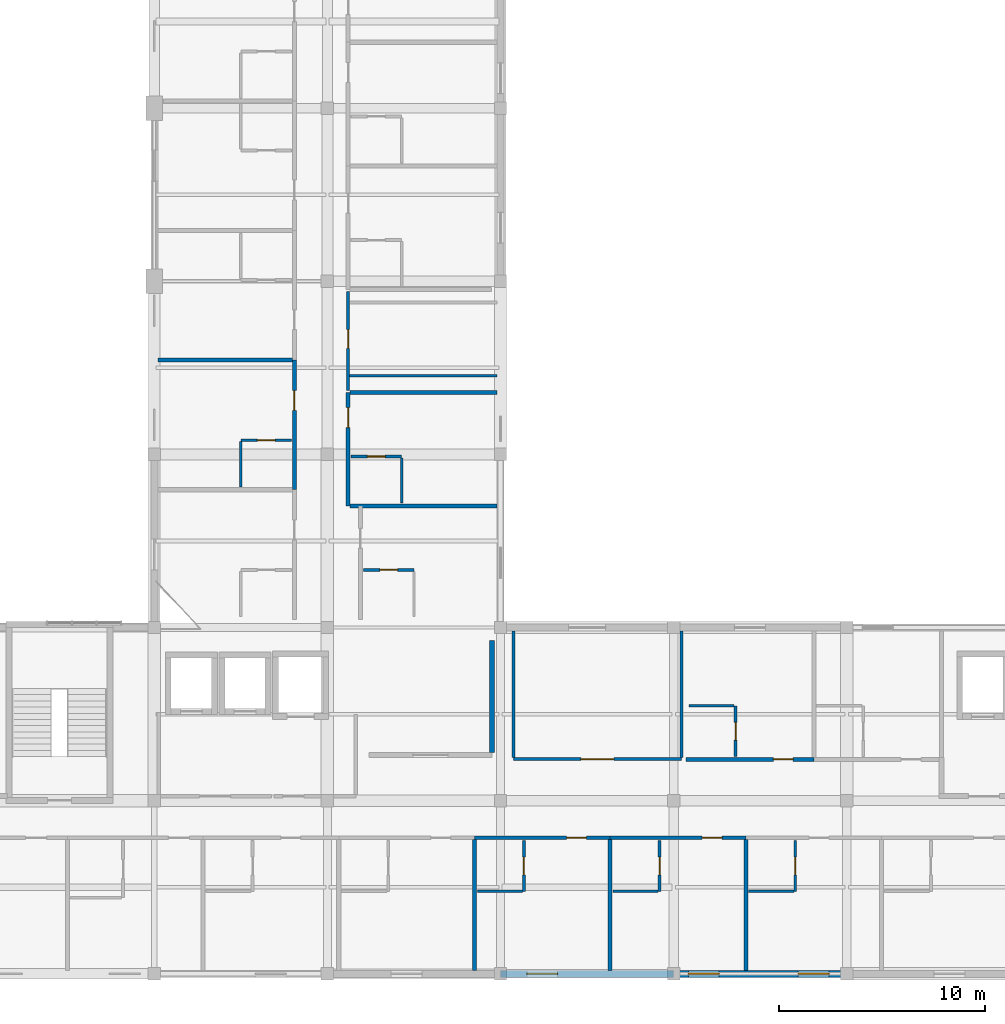
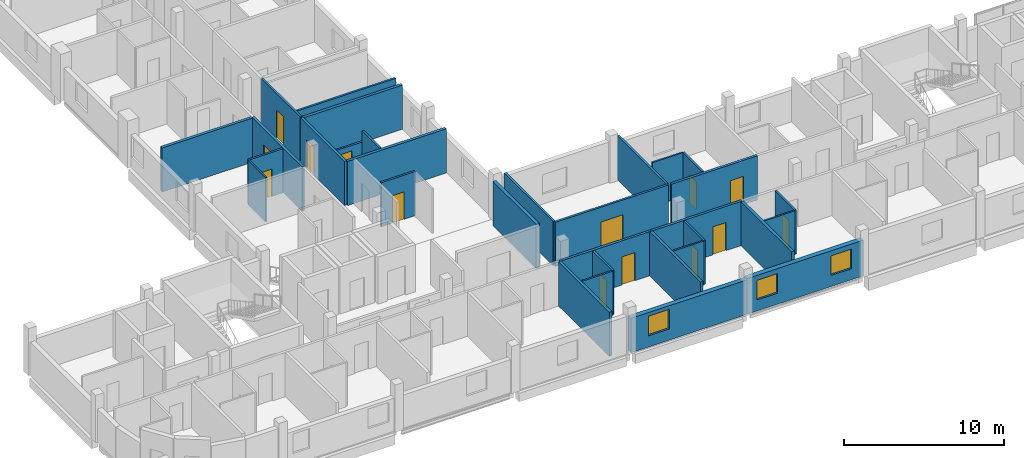
# One storey, part 13 of 24: 32 walls, 14 doors, 3 windows, 17 openings.
"""IFC4 building model written with IfcOpenShell, lengths in metres."""

from ifc_helpers import new_model, si_unit, derived_unit, direction, frame, frame_2d, origin, place, context, subcontext, project, spatial, rectangle, extrude, material, layer, layer_set, type_object, element, fill, save


model = new_model("IFC4")

# Units and contexts
model_context = context("Model", 3, precision=1e-05, world=origin(), true_north=direction((0.0, 1.0)))
body_context = subcontext(model_context, "Body", "Model", "MODEL_VIEW")
ifc_project = project(units=[si_unit("LENGTHUNIT", "METRE"), si_unit("AREAUNIT", "SQUARE_METRE"), si_unit("VOLUMEUNIT", "CUBIC_METRE"), si_unit("PLANEANGLEUNIT", "RADIAN"), si_unit("MASSUNIT", "GRAM", prefix="KILO"), derived_unit("THERMALTRANSMITTANCEUNIT", [(si_unit("POWERUNIT", "WATT"), 1), (si_unit("LENGTHUNIT", "METRE"), -2), (si_unit("THERMODYNAMICTEMPERATUREUNIT", "KELVIN"), -1)])], contexts=[model_context])

# Site, building, storey
site_placement = place(None, origin())
site = spatial("IfcSite", under=ifc_project, at=site_placement, CompositionType="ELEMENT")
building_placement = place(site_placement, origin())
building = spatial("IfcBuilding", under=site, at=building_placement, Name="Barrovel Congress Hotel", CompositionType="ELEMENT")
storey_placement = place(building_placement, frame((0.0, 0.0, 29.10009765625)))
storey = spatial("IfcBuildingStorey", under=building, at=storey_placement, Name="L07", CompositionType="ELEMENT", Elevation=29.10009765625)

# Wall, opening, window
ifc_material_1 = material(Name="Fired Clay Brick Masonry", Category="masonry")
ifc_layer_1 = layer(ifc_material_1, 0.340087890625)
ifc_layer_set_1 = layer_set([ifc_layer_1], Name="Fired Clay Brick Masonry")
wall_type_1 = type_object("IfcWallType", Name="EW-BRK340", PredefinedType="STANDARD", material=ifc_layer_set_1)
wall_1_placement = place(storey_placement, frame((50.39990234375, 4.199951171875, 0.0), z_axis=(0.0, 0.0, 1.0), x_axis=(1.0, 0.0, 0.0)))
wall_1 = element("IfcWall", 1, at=wall_1_placement, inside=storey, type_object=wall_type_1, Name="EW:L07:HS-S:P04", PredefinedType="STANDARD", context=body_context, shape_type="SweptSolid", body=[
    extrude(rectangle(XDim=8.400146484375, YDim=0.340087890625, at=frame_2d((4.2001953125, 0.0))), origin(), (0.0, 0.0, 1.0), 2.6298828125),
])
opening_1_placement = place(wall_1_placement, frame((1.27490234375, 0.0, 0.85009765625)))
opening_1 = element("IfcOpeningElement", 2, at=opening_1_placement, cuts=wall_1, Name="Opening WN-07", PredefinedType="OPENING", context=body_context, shape_type="SweptSolid", body=[
    extrude(rectangle(XDim=1.5, YDim=1.5, at=frame_2d((0.75, 0.75))), frame((0.0, 0.18017578125, 0.0), z_axis=(0.0, -1.0, 0.0), x_axis=(1.0, 0.0, 0.0)), (0.0, 0.0, 1.0), 0.360107421875),
])
ifc_material_2 = material(Name="Double Low-E Insulated Glazing", Category="glass")
window_type = type_object("IfcWindowType", Name="WIN-WN-07", PartitioningType="SINGLE_PANEL", PredefinedType="WINDOW", material=ifc_material_2)
window_1_placement = place(opening_1_placement, origin())
window_1 = element("IfcWindow", 3, at=window_1_placement, inside=storey, type_object=window_type, Name="WIN:L07:U06", OverallHeight=1.5, OverallWidth=1.5, PartitioningType="SINGLE_PANEL", PredefinedType="WINDOW", context=body_context, shape_type="SweptSolid", body=[
    extrude(rectangle(XDim=1.5, YDim=1.5, at=frame_2d((0.75, 0.75))), frame((0.0, 0.030029296875, 0.0), z_axis=(0.0, -1.0, 0.0), x_axis=(1.0, 0.0, 0.0)), (0.0, 0.0, 1.0), 0.06005859375),
])
fill(opening_1, window_1)

# Wall, openings, windows
wall_2_placement = place(storey_placement, frame((58.800048828125, 4.199951171875, 0.0), z_axis=(0.0, 0.0, 1.0), x_axis=(1.0, 0.0, 0.0)))
wall_2 = element("IfcWall", 4, at=wall_2_placement, inside=storey, type_object=wall_type_1, Name="EW:L07:HS-S:P05", PredefinedType="STANDARD", context=body_context, shape_type="SweptSolid", body=[
    extrude(rectangle(XDim=8.39990234375, YDim=0.340087890625, at=frame_2d((4.199951171875, 0.0))), origin(), (0.0, 0.0, 1.0), 2.72998046875),
])
opening_2_placement = place(wall_2_placement, frame((0.708251953125, 0.0, 0.85009765625)))
opening_2 = element("IfcOpeningElement", 5, at=opening_2_placement, cuts=wall_2, Name="Opening WN-07", PredefinedType="OPENING", context=body_context, shape_type="SweptSolid", body=[
    extrude(rectangle(XDim=1.5, YDim=1.5, at=frame_2d((0.75, 0.75))), frame((0.0, 0.18017578125, 0.0), z_axis=(0.0, -1.0, 0.0), x_axis=(1.0, 0.0, 0.0)), (0.0, 0.0, 1.0), 0.360107421875),
])
opening_3_placement = place(wall_2_placement, frame((6.041748046875, 0.0, 0.85009765625)))
opening_3 = element("IfcOpeningElement", 6, at=opening_3_placement, cuts=wall_2, Name="Opening WN-07", PredefinedType="OPENING", context=body_context, shape_type="SweptSolid", body=[
    extrude(rectangle(XDim=1.5, YDim=1.5, at=frame_2d((0.75, 0.75))), frame((0.0, 0.18017578125, 0.0), z_axis=(0.0, -1.0, 0.0), x_axis=(1.0, 0.0, 0.0)), (0.0, 0.0, 1.0), 0.360107421875),
])
window_2_placement = place(opening_2_placement, origin())
window_2 = element("IfcWindow", 7, at=window_2_placement, inside=storey, type_object=window_type, Name="WIN:L07:U07", OverallHeight=1.5, OverallWidth=1.5, PartitioningType="SINGLE_PANEL", PredefinedType="WINDOW", context=body_context, shape_type="SweptSolid", body=[
    extrude(rectangle(XDim=1.5, YDim=1.5, at=frame_2d((0.75, 0.75))), frame((0.0, 0.030029296875, 0.0), z_axis=(0.0, -1.0, 0.0), x_axis=(1.0, 0.0, 0.0)), (0.0, 0.0, 1.0), 0.06005859375),
])
fill(opening_2, window_2)
window_3_placement = place(opening_3_placement, origin())
window_3 = element("IfcWindow", 8, at=window_3_placement, inside=storey, type_object=window_type, Name="WIN:L07:U08", OverallHeight=1.5, OverallWidth=1.5, PartitioningType="SINGLE_PANEL", PredefinedType="WINDOW", context=body_context, shape_type="SweptSolid", body=[
    extrude(rectangle(XDim=1.5, YDim=1.5, at=frame_2d((0.75, 0.75))), frame((0.0, 0.030029296875, 0.0), z_axis=(0.0, -1.0, 0.0), x_axis=(1.0, 0.0, 0.0)), (0.0, 0.0, 1.0), 0.06005859375),
])
fill(opening_3, window_3)

# Wall, opening, door
ifc_material_3 = material(Name="Gypsum Acoustic Stud", Category="gypsum")
ifc_layer_2 = layer(ifc_material_3, 0.179931640625)
ifc_layer_set_2 = layer_set([ifc_layer_2], Name="Gypsum Acoustic Stud")
wall_type_2 = type_object("IfcWallType", Name="PW-ACU-180", PredefinedType="PARTITIONING", material=ifc_layer_set_2)
wall_3_placement = place(storey_placement, frame((49.13330078125, 10.800048828125, 0.0), z_axis=(0.0, 0.0, 1.0), x_axis=(1.0, 0.0, 0.0)))
wall_3 = element("IfcWall", 9, at=wall_3_placement, inside=storey, type_object=wall_type_2, Name="PW:L07:U06:COR", PredefinedType="PARTITIONING", context=body_context, shape_type="SweptSolid", body=[
    extrude(rectangle(XDim=6.58349609375, YDim=0.179931640625, at=frame_2d((3.291748046875, 0.0))), origin(), (0.0, 0.0, 1.0), 3.375),
])
opening_4_placement = place(wall_3_placement, frame((4.46875, 0.0, 0.0)))
opening_4 = element("IfcOpeningElement", 10, at=opening_4_placement, cuts=wall_3, Name="Opening ID-HTL", PredefinedType="OPENING", context=body_context, shape_type="SweptSolid", body=[
    extrude(rectangle(XDim=0.9599609375, YDim=2.14990234375, at=frame_2d((0.47998046875, 1.074951171875))), frame((0.0, 0.10009765625, 0.0), z_axis=(0.0, -1.0, 0.0), x_axis=(1.0, 0.0, 0.0)), (0.0, 0.0, 1.0), 0.199951171875),
])
ifc_material_4 = material(Name="Solid Oak Acoustic Timber Door", Category="wood")
door_type_1 = type_object("IfcDoorType", Name="IDR-ID-HTL", OperationType="NOTDEFINED", PredefinedType="DOOR", material=ifc_material_4)
door_1_placement = place(opening_4_placement, origin())
door_1 = element("IfcDoor", 11, at=door_1_placement, inside=storey, type_object=door_type_1, Name="DR:L07:U06:ENT", OperationType="SINGLE_SWING_RIGHT", OverallHeight=2.14990234375, OverallWidth=0.9599609375, PredefinedType="DOOR", context=body_context, shape_type="SweptSolid", body=[
    extrude(rectangle(XDim=0.9599609375, YDim=2.14990234375, at=frame_2d((0.47998046875, 1.074951171875))), frame((0.0, 0.02490234375, 0.0), z_axis=(0.0, -1.0, 0.0), x_axis=(1.0, 0.0, 0.0)), (0.0, 0.0, 1.0), 0.050048828125),
])
fill(opening_4, door_1)

wall_4_placement = place(storey_placement, frame((55.716796875, 10.800048828125, 0.0), z_axis=(0.0, 0.0, 1.0), x_axis=(1.0, 0.0, 0.0)))
wall_4 = element("IfcWall", 12, at=wall_4_placement, inside=storey, type_object=wall_type_2, Name="PW:L07:U07:COR", PredefinedType="PARTITIONING", context=body_context, shape_type="SweptSolid", body=[
    extrude(rectangle(XDim=6.583251953125, YDim=0.179931640625, at=frame_2d((3.29150390625, 0.0))), origin(), (0.0, 0.0, 1.0), 3.375),
])
opening_5_placement = place(wall_4_placement, frame((4.468505859375, 0.0, 0.0)))
opening_5 = element("IfcOpeningElement", 13, at=opening_5_placement, cuts=wall_4, Name="Opening ID-HTL", PredefinedType="OPENING", context=body_context, shape_type="SweptSolid", body=[
    extrude(rectangle(XDim=0.9599609375, YDim=2.14990234375, at=frame_2d((0.47998046875, 1.074951171875))), frame((0.0, 0.10009765625, 0.0), z_axis=(0.0, -1.0, 0.0), x_axis=(1.0, 0.0, 0.0)), (0.0, 0.0, 1.0), 0.199951171875),
])
door_2_placement = place(opening_5_placement, origin())
door_2 = element("IfcDoor", 14, at=door_2_placement, inside=storey, type_object=door_type_1, Name="DR:L07:U07:ENT", OperationType="SINGLE_SWING_RIGHT", OverallHeight=2.14990234375, OverallWidth=0.9599609375, PredefinedType="DOOR", context=body_context, shape_type="SweptSolid", body=[
    extrude(rectangle(XDim=0.9599609375, YDim=2.14990234375, at=frame_2d((0.47998046875, 1.074951171875))), frame((0.0, 0.02490234375, 0.0), z_axis=(0.0, -1.0, 0.0), x_axis=(1.0, 0.0, 0.0)), (0.0, 0.0, 1.0), 0.050048828125),
])
fill(opening_5, door_2)

wall_5_placement = place(storey_placement, frame((59.39990234375, 14.60009765625, 0.0), z_axis=(0.0, 0.0, 1.0), x_axis=(1.0, 0.0, 0.0)))
wall_5 = element("IfcWall", 15, at=wall_5_placement, inside=storey, type_object=wall_type_2, Name="PW:L07:U19:COR", PredefinedType="PARTITIONING", context=body_context, shape_type="SweptSolid", body=[
    extrude(rectangle(XDim=6.2001953125, YDim=0.179931640625, at=frame_2d((3.10009765625, 0.0))), origin(), (0.0, 0.0, 1.0), 3.375),
])
opening_6_placement = place(wall_5_placement, frame((4.23095703125, 0.0, 0.0)))
opening_6 = element("IfcOpeningElement", 16, at=opening_6_placement, cuts=wall_5, Name="Opening ID-HTL", PredefinedType="OPENING", context=body_context, shape_type="SweptSolid", body=[
    extrude(rectangle(XDim=0.9599609375, YDim=2.14990234375, at=frame_2d((0.47998046875, 1.074951171875))), frame((0.0, 0.10009765625, 0.0), z_axis=(0.0, -1.0, 0.0), x_axis=(1.0, 0.0, 0.0)), (0.0, 0.0, 1.0), 0.199951171875),
])
door_3_placement = place(opening_6_placement, origin())
door_3 = element("IfcDoor", 17, at=door_3_placement, inside=storey, type_object=door_type_1, Name="DR:L07:U19:ENT", OperationType="SINGLE_SWING_RIGHT", OverallHeight=2.14990234375, OverallWidth=0.9599609375, PredefinedType="DOOR", context=body_context, shape_type="SweptSolid", body=[
    extrude(rectangle(XDim=0.9599609375, YDim=2.14990234375, at=frame_2d((0.47998046875, 1.074951171875))), frame((0.0, 0.02490234375, 0.0), z_axis=(0.0, -1.0, 0.0), x_axis=(1.0, 0.0, 0.0)), (0.0, 0.0, 1.0), 0.050048828125),
])
fill(opening_6, door_3)

wall_6_placement = place(storey_placement, frame((40.39990234375, 27.68896484375, 0.0), z_axis=(0.0, 0.0, 1.0), x_axis=(0.0, 1.0, 0.0)))
wall_6 = element("IfcWall", 18, at=wall_6_placement, inside=storey, type_object=wall_type_2, Name="PW:L07:U29:COR", PredefinedType="PARTITIONING", context=body_context, shape_type="SweptSolid", body=[
    extrude(rectangle(XDim=6.288818359375, YDim=0.179931640625, at=frame_2d((3.14453125, 0.0))), origin(), (0.0, 0.0, 1.0), 3.375),
])
opening_7_placement = place(wall_6_placement, frame((3.849365234375, 0.0, 0.0)))
opening_7 = element("IfcOpeningElement", 19, at=opening_7_placement, cuts=wall_6, Name="Opening ID-HTL", PredefinedType="OPENING", context=body_context, shape_type="SweptSolid", body=[
    extrude(rectangle(XDim=0.9599609375, YDim=2.14990234375, at=frame_2d((0.47998046875, 1.074951171875))), frame((0.0, 0.10009765625, 0.0), z_axis=(0.0, -1.0, 0.0), x_axis=(1.0, 0.0, 0.0)), (0.0, 0.0, 1.0), 0.199951171875),
])
door_4_placement = place(opening_7_placement, origin())
door_4 = element("IfcDoor", 20, at=door_4_placement, inside=storey, type_object=door_type_1, Name="DR:L07:U29:ENT", OperationType="SINGLE_SWING_RIGHT", OverallHeight=2.14990234375, OverallWidth=0.9599609375, PredefinedType="DOOR", context=body_context, shape_type="SweptSolid", body=[
    extrude(rectangle(XDim=0.9599609375, YDim=2.14990234375, at=frame_2d((0.47998046875, 1.074951171875))), frame((0.0, 0.02490234375, 0.0), z_axis=(0.0, -1.0, 0.0), x_axis=(1.0, 0.0, 0.0)), (0.0, 0.0, 1.0), 0.050048828125),
])
fill(opening_7, door_4)

wall_7_placement = place(storey_placement, frame((43.0, 26.89990234375, 0.0), z_axis=(0.0, 0.0, 1.0), x_axis=(0.0, 1.0, 0.0)))
wall_7 = element("IfcWall", 21, at=wall_7_placement, inside=storey, type_object=wall_type_2, Name="PW:L07:U38:COR", PredefinedType="PARTITIONING", context=body_context, shape_type="SweptSolid", body=[
    extrude(rectangle(XDim=5.5, YDim=0.179931640625, at=frame_2d((2.75, 0.0))), origin(), (0.0, 0.0, 1.0), 3.375),
])
opening_8_placement = place(wall_7_placement, frame((3.804931640625, 0.0, 0.0)))
opening_8 = element("IfcOpeningElement", 22, at=opening_8_placement, cuts=wall_7, Name="Opening ID-HTL", PredefinedType="OPENING", context=body_context, shape_type="SweptSolid", body=[
    extrude(rectangle(XDim=0.9599609375, YDim=2.14990234375, at=frame_2d((0.47998046875, 1.074951171875))), frame((0.0, 0.10009765625, 0.0), z_axis=(0.0, -1.0, 0.0), x_axis=(1.0, 0.0, 0.0)), (0.0, 0.0, 1.0), 0.199951171875),
])
door_5_placement = place(opening_8_placement, origin())
door_5 = element("IfcDoor", 23, at=door_5_placement, inside=storey, type_object=door_type_1, Name="DR:L07:U38:ENT", OperationType="SINGLE_SWING_RIGHT", OverallHeight=2.14990234375, OverallWidth=0.9599609375, PredefinedType="DOOR", context=body_context, shape_type="SweptSolid", body=[
    extrude(rectangle(XDim=0.9599609375, YDim=2.14990234375, at=frame_2d((0.47998046875, 1.074951171875))), frame((0.0, 0.02490234375, 0.0), z_axis=(0.0, -1.0, 0.0), x_axis=(1.0, 0.0, 0.0)), (0.0, 0.0, 1.0), 0.050048828125),
])
fill(opening_8, door_5)

# Walls
ifc_layer_3 = layer(ifc_material_3, 0.1201171875)
ifc_layer_set_3 = layer_set([ifc_layer_3], Name="Gypsum Acoustic Stud")
wall_type_3 = type_object("IfcWallType", Name="PW-INT-120", PredefinedType="PARTITIONING", material=ifc_layer_set_3)
wall_8_placement = place(storey_placement, frame((49.273193359375, 8.199951171875, 0.0), z_axis=(0.0, 0.0, 1.0), x_axis=(1.0, 0.0, 0.0)))
element("IfcWall", 24, at=wall_8_placement, inside=storey, type_object=wall_type_3, Name="PW:L07:U06:B2", PredefinedType="PARTITIONING", context=body_context, shape_type="SweptSolid", body=[
    extrude(rectangle(XDim=2.190185546875, YDim=0.1201171875, at=frame_2d((1.09521484375, 0.0))), origin(), (0.0, 0.0, 1.0), 3.375),
])
for number, where, z_axis, x_axis, name in (
    (25, (55.856689453125, 8.199951171875, 0.0), (0.0, 0.0, 1.0), (1.0, 0.0, 0.0), "PW:L07:U07:B2"),
    (26, (62.43994140625, 8.199951171875, 0.0), (0.0, 0.0, 1.0), (1.0, 0.0, 0.0), "PW:L07:U08:B2"),
    (27, (59.5400390625, 17.199951171875, 0.0), (0.0, 0.0, 1.0), (1.0, 0.0, 0.0), "PW:L07:U19:B2"),
    (28, (37.800048828125, 27.828857421875, 0.0), (0.0, 0.0, 1.0), (0.0, 1.0, 0.0), "PW:L07:U29:B2"),
    (29, (45.60009765625, 27.0400390625, 0.0), (0.0, 0.0, 1.0), (0.0, 1.0, 0.0), "PW:L07:U38:B2"),
):
    element("IfcWall", number, at=place(storey_placement, frame(where, z_axis=z_axis, x_axis=x_axis)), inside=storey, type_object=wall_type_3, Name=name, PredefinedType="PARTITIONING", context=body_context, shape_type="SweptSolid", body=[
        extrude(rectangle(XDim=2.18994140625, YDim=0.1201171875, at=frame_2d((1.094970703125, 0.0))), origin(), (0.0, 0.0, 1.0), 3.375),
    ])
ifc_layer_4 = layer(ifc_material_1, 0.199951171875)
ifc_layer_set_4 = layer_set([ifc_layer_4], Name="Fired Clay Brick Masonry")
wall_type_4 = type_object("IfcWallType", Name="PW-MAS-200", PredefinedType="PARTITIONING", material=ifc_layer_set_4)
for number, where, z_axis, x_axis, name in (
    (30, (49.13330078125, 4.3701171875, 0.0), (0.0, 0.0, 1.0), (0.0, 1.0, 0.0), "PW:L07:U05:DEM"),
    (31, (55.716796875, 4.3701171875, 0.0), (0.0, 0.0, 1.0), (0.0, 1.0, 0.0), "PW:L07:U06:DEM"),
    (32, (62.300048828125, 4.3701171875, 0.0), (0.0, 0.0, 1.0), (0.0, 1.0, 0.0), "PW:L07:U07:DEM"),
):
    element("IfcWall", number, at=place(storey_placement, frame(where, z_axis=z_axis, x_axis=x_axis)), inside=storey, type_object=wall_type_4, Name=name, PredefinedType="PARTITIONING", context=body_context, shape_type="SweptSolid", body=[
        extrude(rectangle(XDim=6.33984375, YDim=0.199951171875, at=frame_2d((3.169921875, 0.0))), origin(), (0.0, 0.0, 1.0), 3.375),
    ])
wall_9_placement = place(storey_placement, frame((33.77001953125, 33.977783203125, 0.0), z_axis=(0.0, 0.0, 1.0), x_axis=(1.0, 0.0, 0.0)))
element("IfcWall", 33, at=wall_9_placement, inside=storey, type_object=wall_type_4, Name="PW:L07:U29:DEM", PredefinedType="PARTITIONING", context=body_context, shape_type="SweptSolid", body=[
    extrude(rectangle(XDim=6.5400390625, YDim=0.199951171875, at=frame_2d((3.27001953125, 0.0))), origin(), (0.0, 0.0, 1.0), 3.375),
])
for number, where, z_axis, x_axis, name in (
    (34, (43.090087890625, 26.89990234375, 0.0), (0.0, 0.0, 1.0), (1.0, 0.0, 0.0), "PW:L07:U37:DEM"),
    (35, (43.090087890625, 32.39990234375, 0.0), (0.0, 0.0, 1.0), (1.0, 0.0, 0.0), "PW:L07:U38:DEM"),
):
    element("IfcWall", number, at=place(storey_placement, frame(where, z_axis=z_axis, x_axis=x_axis)), inside=storey, type_object=wall_type_4, Name=name, PredefinedType="PARTITIONING", context=body_context, shape_type="SweptSolid", body=[
        extrude(rectangle(XDim=7.139892578125, YDim=0.199951171875, at=frame_2d((3.56982421875, 0.0))), origin(), (0.0, 0.0, 1.0), 3.375),
    ])
ifc_layer_5 = layer(ifc_material_1, 0.239990234375)
ifc_layer_set_5 = layer_set([ifc_layer_5], Name="Fired Clay Brick Masonry")
wall_type_5 = type_object("IfcWallType", Name="PW-MAS-240", PredefinedType="PARTITIONING", material=ifc_layer_set_5)
wall_10_placement = place(storey_placement, frame((49.97998046875, 14.93994140625, 0.0), z_axis=(0.0, 0.0, 1.0), x_axis=(0.0, 1.0, 0.0)))
element("IfcWall", 36, at=wall_10_placement, inside=storey, type_object=wall_type_5, Name="RW:SP:L07:LINEN:E", PredefinedType="PARTITIONING", context=body_context, shape_type="SweptSolid", body=[
    extrude(rectangle(XDim=5.43994140625, YDim=0.239990234375, at=frame_2d((2.719970703125, 0.0))), origin(), (0.0, 0.0, 1.0), 3.375),
])

# Wall, opening, door
ifc_layer_6 = layer(ifc_material_3, 0.14990234375)
ifc_layer_set_6 = layer_set([ifc_layer_6], Name="Gypsum Acoustic Stud")
wall_type_6 = type_object("IfcWallType", Name="PW-STD-150", PredefinedType="PARTITIONING", material=ifc_layer_set_6)
wall_11_placement = place(storey_placement, frame((51.02001953125, 14.6201171875, 0.0), z_axis=(0.0, 0.0, 1.0), x_axis=(1.0, 0.0, 0.0)))
wall_11 = element("IfcWall", 37, at=wall_11_placement, inside=storey, type_object=wall_type_6, Name="RW:SP:L07:SALON:S", PredefinedType="PARTITIONING", context=body_context, shape_type="SweptSolid", body=[
    extrude(rectangle(XDim=8.159912109375, YDim=0.14990234375, at=frame_2d((4.080078125, 0.0))), origin(), (0.0, 0.0, 1.0), 3.375),
])
opening_9_placement = place(wall_11_placement, frame((3.280029296875, 0.0, 0.0)))
opening_9 = element("IfcOpeningElement", 38, at=opening_9_placement, cuts=wall_11, Name="Opening ID-MTG", PredefinedType="OPENING", context=body_context, shape_type="SweptSolid", body=[
    extrude(rectangle(XDim=1.60009765625, YDim=2.25, at=frame_2d((0.800048828125, 1.125))), frame((0.0, 0.0849609375, 0.0), z_axis=(0.0, -1.0, 0.0), x_axis=(1.0, 0.0, 0.0)), (0.0, 0.0, 1.0), 0.169921875),
])
door_type_2 = type_object("IfcDoorType", Name="IDR-ID-MTG", OperationType="NOTDEFINED", PredefinedType="DOOR", material=ifc_material_4)
door_6_placement = place(opening_9_placement, origin())
door_6 = element("IfcDoor", 39, at=door_6_placement, inside=storey, type_object=door_type_2, Name="RD:SP:L07:SALON", OperationType="DOUBLE_DOOR_SINGLE_SWING", OverallHeight=2.25, OverallWidth=1.60009765625, PredefinedType="DOOR", context=body_context, shape_type="SweptSolid", body=[
    extrude(rectangle(XDim=1.60009765625, YDim=2.25, at=frame_2d((0.800048828125, 1.125))), frame((0.0, 0.02490234375, 0.0), z_axis=(0.0, -1.0, 0.0), x_axis=(1.0, 0.0, 0.0)), (0.0, 0.0, 1.0), 0.050048828125),
])
fill(opening_9, door_6)

# Walls
for number, where, z_axis, x_axis, name in (
    (40, (51.02001953125, 14.695068359375, 0.0), (0.0, 0.0, 1.0), (0.0, 1.0, 0.0), "RW:SP:L07:SALON:W"),
    (41, (59.179931640625, 14.695068359375, 0.0), (0.0, 0.0, 1.0), (0.0, 1.0, 0.0), "RW:SP:L07:SALON:E"),
):
    element("IfcWall", number, at=place(storey_placement, frame(where, z_axis=z_axis, x_axis=x_axis)), inside=storey, type_object=wall_type_6, Name=name, PredefinedType="PARTITIONING", context=body_context, shape_type="SweptSolid", body=[
        extrude(rectangle(XDim=6.135009765625, YDim=0.14990234375, at=frame_2d((3.0673828125, 0.0))), origin(), (0.0, 0.0, 1.0), 3.375),
    ])

# Wall, opening, door
ifc_material_5 = material(Name="Gypsum Moisture Board", Category="gypsum")
ifc_layer_7 = layer(ifc_material_5, 0.139892578125)
ifc_layer_set_7 = layer_set([ifc_layer_7], Name="Gypsum Moisture Board")
wall_type_7 = type_object("IfcWallType", Name="PW-WET-140", PredefinedType="PARTITIONING", material=ifc_layer_set_7)
wall_12_placement = place(storey_placement, frame((51.533203125, 8.199951171875, 0.0), z_axis=(0.0, 0.0, 1.0), x_axis=(0.0, 1.0, 0.0)))
wall_12 = element("IfcWall", 42, at=wall_12_placement, inside=storey, type_object=wall_type_7, Name="PW:L07:U06:B1", PredefinedType="PARTITIONING", context=body_context, shape_type="SweptSolid", body=[
    extrude(rectangle(XDim=2.4599609375, YDim=0.139892578125, at=frame_2d((1.22998046875, 0.0))), origin(), (0.0, 0.0, 1.0), 3.375),
])
opening_10_placement = place(wall_12_placement, frame((0.800048828125, 0.0, 0.0)))
opening_10 = element("IfcOpeningElement", 43, at=opening_10_placement, cuts=wall_12, Name="Opening ID-ENS", PredefinedType="OPENING", context=body_context, shape_type="SweptSolid", body=[
    extrude(rectangle(XDim=0.860107421875, YDim=2.10009765625, at=frame_2d((0.43017578125, 1.050048828125))), frame((0.0, 0.080078125, 0.0), z_axis=(0.0, -1.0, 0.0), x_axis=(1.0, 0.0, 0.0)), (0.0, 0.0, 1.0), 0.159912109375),
])
ifc_material_6 = material(Name="Lacquered Timber Moisture Door", Category="wood")
door_type_3 = type_object("IfcDoorType", Name="IDR-ID-ENS", OperationType="NOTDEFINED", PredefinedType="DOOR", material=ifc_material_6)
door_7_placement = place(opening_10_placement, origin())
door_7 = element("IfcDoor", 44, at=door_7_placement, inside=storey, type_object=door_type_3, Name="DR:L07:U06:ENS", OperationType="SINGLE_SWING_LEFT", OverallHeight=2.10009765625, OverallWidth=0.860107421875, PredefinedType="DOOR", context=body_context, shape_type="SweptSolid", body=[
    extrude(rectangle(XDim=0.860107421875, YDim=2.10009765625, at=frame_2d((0.43017578125, 1.050048828125))), frame((0.0, 0.02490234375, 0.0), z_axis=(0.0, -1.0, 0.0), x_axis=(1.0, 0.0, 0.0)), (0.0, 0.0, 1.0), 0.050048828125),
])
fill(opening_10, door_7)

wall_13_placement = place(storey_placement, frame((58.11669921875, 8.199951171875, 0.0), z_axis=(0.0, 0.0, 1.0), x_axis=(0.0, 1.0, 0.0)))
wall_13 = element("IfcWall", 45, at=wall_13_placement, inside=storey, type_object=wall_type_7, Name="PW:L07:U07:B1", PredefinedType="PARTITIONING", context=body_context, shape_type="SweptSolid", body=[
    extrude(rectangle(XDim=2.4599609375, YDim=0.139892578125, at=frame_2d((1.22998046875, 0.0))), origin(), (0.0, 0.0, 1.0), 3.375),
])
opening_11_placement = place(wall_13_placement, frame((0.800048828125, 0.0, 0.0)))
opening_11 = element("IfcOpeningElement", 46, at=opening_11_placement, cuts=wall_13, Name="Opening ID-ENS", PredefinedType="OPENING", context=body_context, shape_type="SweptSolid", body=[
    extrude(rectangle(XDim=0.860107421875, YDim=2.10009765625, at=frame_2d((0.43017578125, 1.050048828125))), frame((0.0, 0.080078125, 0.0), z_axis=(0.0, -1.0, 0.0), x_axis=(1.0, 0.0, 0.0)), (0.0, 0.0, 1.0), 0.159912109375),
])
door_8_placement = place(opening_11_placement, origin())
door_8 = element("IfcDoor", 47, at=door_8_placement, inside=storey, type_object=door_type_3, Name="DR:L07:U07:ENS", OperationType="SINGLE_SWING_LEFT", OverallHeight=2.10009765625, OverallWidth=0.860107421875, PredefinedType="DOOR", context=body_context, shape_type="SweptSolid", body=[
    extrude(rectangle(XDim=0.860107421875, YDim=2.10009765625, at=frame_2d((0.43017578125, 1.050048828125))), frame((0.0, 0.02490234375, 0.0), z_axis=(0.0, -1.0, 0.0), x_axis=(1.0, 0.0, 0.0)), (0.0, 0.0, 1.0), 0.050048828125),
])
fill(opening_11, door_8)

wall_14_placement = place(storey_placement, frame((64.699951171875, 8.199951171875, 0.0), z_axis=(0.0, 0.0, 1.0), x_axis=(0.0, 1.0, 0.0)))
wall_14 = element("IfcWall", 48, at=wall_14_placement, inside=storey, type_object=wall_type_7, Name="PW:L07:U08:B1", PredefinedType="PARTITIONING", context=body_context, shape_type="SweptSolid", body=[
    extrude(rectangle(XDim=2.4599609375, YDim=0.139892578125, at=frame_2d((1.22998046875, 0.0))), origin(), (0.0, 0.0, 1.0), 3.375),
])
opening_12_placement = place(wall_14_placement, frame((0.800048828125, 0.0, 0.0)))
opening_12 = element("IfcOpeningElement", 49, at=opening_12_placement, cuts=wall_14, Name="Opening ID-ENS", PredefinedType="OPENING", context=body_context, shape_type="SweptSolid", body=[
    extrude(rectangle(XDim=0.860107421875, YDim=2.10009765625, at=frame_2d((0.43017578125, 1.050048828125))), frame((0.0, 0.080078125, 0.0), z_axis=(0.0, -1.0, 0.0), x_axis=(1.0, 0.0, 0.0)), (0.0, 0.0, 1.0), 0.159912109375),
])
door_9_placement = place(opening_12_placement, origin())
door_9 = element("IfcDoor", 50, at=door_9_placement, inside=storey, type_object=door_type_3, Name="DR:L07:U08:ENS", OperationType="SINGLE_SWING_LEFT", OverallHeight=2.10009765625, OverallWidth=0.860107421875, PredefinedType="DOOR", context=body_context, shape_type="SweptSolid", body=[
    extrude(rectangle(XDim=0.860107421875, YDim=2.10009765625, at=frame_2d((0.43017578125, 1.050048828125))), frame((0.0, 0.02490234375, 0.0), z_axis=(0.0, -1.0, 0.0), x_axis=(1.0, 0.0, 0.0)), (0.0, 0.0, 1.0), 0.050048828125),
])
fill(opening_12, door_9)

wall_15_placement = place(storey_placement, frame((61.800048828125, 14.739990234375, 0.0), z_axis=(0.0, 0.0, 1.0), x_axis=(0.0, 1.0, 0.0)))
wall_15 = element("IfcWall", 51, at=wall_15_placement, inside=storey, type_object=wall_type_7, Name="PW:L07:U19:B1", PredefinedType="PARTITIONING", context=body_context, shape_type="SweptSolid", body=[
    extrude(rectangle(XDim=2.4599609375, YDim=0.139892578125, at=frame_2d((1.22998046875, 0.0))), origin(), (0.0, 0.0, 1.0), 3.375),
])
opening_13_placement = place(wall_15_placement, frame((0.800048828125, 0.0, 0.0)))
opening_13 = element("IfcOpeningElement", 52, at=opening_13_placement, cuts=wall_15, Name="Opening ID-ENS", PredefinedType="OPENING", context=body_context, shape_type="SweptSolid", body=[
    extrude(rectangle(XDim=0.860107421875, YDim=2.10009765625, at=frame_2d((0.43017578125, 1.050048828125))), frame((0.0, 0.080078125, 0.0), z_axis=(0.0, -1.0, 0.0), x_axis=(1.0, 0.0, 0.0)), (0.0, 0.0, 1.0), 0.159912109375),
])
door_10_placement = place(opening_13_placement, origin())
door_10 = element("IfcDoor", 53, at=door_10_placement, inside=storey, type_object=door_type_3, Name="DR:L07:U19:ENS", OperationType="SINGLE_SWING_LEFT", OverallHeight=2.10009765625, OverallWidth=0.860107421875, PredefinedType="DOOR", context=body_context, shape_type="SweptSolid", body=[
    extrude(rectangle(XDim=0.860107421875, YDim=2.10009765625, at=frame_2d((0.43017578125, 1.050048828125))), frame((0.0, 0.02490234375, 0.0), z_axis=(0.0, -1.0, 0.0), x_axis=(1.0, 0.0, 0.0)), (0.0, 0.0, 1.0), 0.050048828125),
])
fill(opening_13, door_10)

wall_16_placement = place(storey_placement, frame((37.800048828125, 30.0888671875, 0.0), z_axis=(0.0, 0.0, 1.0), x_axis=(1.0, 0.0, 0.0)))
wall_16 = element("IfcWall", 54, at=wall_16_placement, inside=storey, type_object=wall_type_7, Name="PW:L07:U29:B1", PredefinedType="PARTITIONING", context=body_context, shape_type="SweptSolid", body=[
    extrude(rectangle(XDim=2.4599609375, YDim=0.139892578125, at=frame_2d((1.22998046875, 0.0))), origin(), (0.0, 0.0, 1.0), 3.375),
])
opening_14_placement = place(wall_16_placement, frame((0.800048828125, 0.0, 0.0)))
opening_14 = element("IfcOpeningElement", 55, at=opening_14_placement, cuts=wall_16, Name="Opening ID-ENS", PredefinedType="OPENING", context=body_context, shape_type="SweptSolid", body=[
    extrude(rectangle(XDim=0.860107421875, YDim=2.10009765625, at=frame_2d((0.43017578125, 1.050048828125))), frame((0.0, 0.080078125, 0.0), z_axis=(0.0, -1.0, 0.0), x_axis=(1.0, 0.0, 0.0)), (0.0, 0.0, 1.0), 0.159912109375),
])
door_11_placement = place(opening_14_placement, origin())
door_11 = element("IfcDoor", 56, at=door_11_placement, inside=storey, type_object=door_type_3, Name="DR:L07:U29:ENS", OperationType="SINGLE_SWING_LEFT", OverallHeight=2.10009765625, OverallWidth=0.860107421875, PredefinedType="DOOR", context=body_context, shape_type="SweptSolid", body=[
    extrude(rectangle(XDim=0.860107421875, YDim=2.10009765625, at=frame_2d((0.43017578125, 1.050048828125))), frame((0.0, 0.02490234375, 0.0), z_axis=(0.0, -1.0, 0.0), x_axis=(1.0, 0.0, 0.0)), (0.0, 0.0, 1.0), 0.050048828125),
])
fill(opening_14, door_11)

wall_17_placement = place(storey_placement, frame((43.739990234375, 23.800048828125, 0.0), z_axis=(0.0, 0.0, 1.0), x_axis=(1.0, 0.0, 0.0)))
wall_17 = element("IfcWall", 57, at=wall_17_placement, inside=storey, type_object=wall_type_7, Name="PW:L07:U37:B1", PredefinedType="PARTITIONING", context=body_context, shape_type="SweptSolid", body=[
    extrude(rectangle(XDim=2.4599609375, YDim=0.139892578125, at=frame_2d((1.22998046875, 0.0))), origin(), (0.0, 0.0, 1.0), 3.375),
])
opening_15_placement = place(wall_17_placement, frame((0.800048828125, 0.0, 0.0)))
opening_15 = element("IfcOpeningElement", 58, at=opening_15_placement, cuts=wall_17, Name="Opening ID-ENS", PredefinedType="OPENING", context=body_context, shape_type="SweptSolid", body=[
    extrude(rectangle(XDim=0.860107421875, YDim=2.10009765625, at=frame_2d((0.43017578125, 1.050048828125))), frame((0.0, 0.080078125, 0.0), z_axis=(0.0, -1.0, 0.0), x_axis=(1.0, 0.0, 0.0)), (0.0, 0.0, 1.0), 0.159912109375),
])
door_12_placement = place(opening_15_placement, origin())
door_12 = element("IfcDoor", 59, at=door_12_placement, inside=storey, type_object=door_type_3, Name="DR:L07:U37:ENS", OperationType="SINGLE_SWING_LEFT", OverallHeight=2.10009765625, OverallWidth=0.860107421875, PredefinedType="DOOR", context=body_context, shape_type="SweptSolid", body=[
    extrude(rectangle(XDim=0.860107421875, YDim=2.10009765625, at=frame_2d((0.43017578125, 1.050048828125))), frame((0.0, 0.02490234375, 0.0), z_axis=(0.0, -1.0, 0.0), x_axis=(1.0, 0.0, 0.0)), (0.0, 0.0, 1.0), 0.050048828125),
])
fill(opening_15, door_12)

wall_18_placement = place(storey_placement, frame((43.139892578125, 29.300048828125, 0.0), z_axis=(0.0, 0.0, 1.0), x_axis=(1.0, 0.0, 0.0)))
wall_18 = element("IfcWall", 60, at=wall_18_placement, inside=storey, type_object=wall_type_7, Name="PW:L07:U38:B1", PredefinedType="PARTITIONING", context=body_context, shape_type="SweptSolid", body=[
    extrude(rectangle(XDim=2.460205078125, YDim=0.139892578125, at=frame_2d((1.22998046875, 0.0))), origin(), (0.0, 0.0, 1.0), 2.52978515625),
])
opening_16_placement = place(wall_18_placement, frame((0.800048828125, 0.0, 0.0)))
opening_16 = element("IfcOpeningElement", 61, at=opening_16_placement, cuts=wall_18, Name="Opening ID-ENS", PredefinedType="OPENING", context=body_context, shape_type="SweptSolid", body=[
    extrude(rectangle(XDim=0.860107421875, YDim=2.10009765625, at=frame_2d((0.43017578125, 1.050048828125))), frame((0.0, 0.080078125, 0.0), z_axis=(0.0, -1.0, 0.0), x_axis=(1.0, 0.0, 0.0)), (0.0, 0.0, 1.0), 0.159912109375),
])
door_13_placement = place(opening_16_placement, origin())
door_13 = element("IfcDoor", 62, at=door_13_placement, inside=storey, type_object=door_type_3, Name="DR:L07:U38:ENS", OperationType="SINGLE_SWING_LEFT", OverallHeight=2.10009765625, OverallWidth=0.860107421875, PredefinedType="DOOR", context=body_context, shape_type="SweptSolid", body=[
    extrude(rectangle(XDim=0.860107421875, YDim=2.10009765625, at=frame_2d((0.43017578125, 1.050048828125))), frame((0.0, 0.02490234375, 0.0), z_axis=(0.0, -1.0, 0.0), x_axis=(1.0, 0.0, 0.0)), (0.0, 0.0, 1.0), 0.050048828125),
])
fill(opening_16, door_13)

wall_19_placement = place(storey_placement, frame((43.0, 32.5, 0.0), z_axis=(0.0, 0.0, 1.0), x_axis=(0.0, 1.0, 0.0)))
wall_19 = element("IfcWall", 63, at=wall_19_placement, inside=storey, type_object=wall_type_7, Name="RW:SP:L07:WC-A:W", PredefinedType="PARTITIONING", context=body_context, shape_type="SweptSolid", body=[
    extrude(rectangle(XDim=4.800048828125, YDim=0.139892578125, at=frame_2d((2.39990234375, 0.0))), origin(), (0.0, 0.0, 1.0), 3.375),
])
opening_17_placement = place(wall_19_placement, frame((2.050048828125, 0.0, 0.0)))
opening_17 = element("IfcOpeningElement", 64, at=opening_17_placement, cuts=wall_19, Name="Opening ID-WC1", PredefinedType="OPENING", context=body_context, shape_type="SweptSolid", body=[
    extrude(rectangle(XDim=0.89990234375, YDim=2.1201171875, at=frame_2d((0.449951171875, 1.06005859375))), frame((0.0, 0.080078125, 0.0), z_axis=(0.0, -1.0, 0.0), x_axis=(1.0, 0.0, 0.0)), (0.0, 0.0, 1.0), 0.159912109375),
])
door_type_4 = type_object("IfcDoorType", Name="IDR-ID-WC1", OperationType="NOTDEFINED", PredefinedType="DOOR", material=ifc_material_6)
door_14_placement = place(opening_17_placement, origin())
door_14 = element("IfcDoor", 65, at=door_14_placement, inside=storey, type_object=door_type_4, Name="RD:SP:L07:WC-A", OperationType="SINGLE_SWING_LEFT", OverallHeight=2.1201171875, OverallWidth=0.89990234375, PredefinedType="DOOR", context=body_context, shape_type="SweptSolid", body=[
    extrude(rectangle(XDim=0.89990234375, YDim=2.1201171875, at=frame_2d((0.449951171875, 1.06005859375))), frame((0.0, 0.02490234375, 0.0), z_axis=(0.0, -1.0, 0.0), x_axis=(1.0, 0.0, 0.0)), (0.0, 0.0, 1.0), 0.050048828125),
])
fill(opening_17, door_14)

# Wall
wall_20_placement = place(storey_placement, frame((43.070068359375, 33.219970703125, 0.0), z_axis=(0.0, 0.0, 1.0), x_axis=(1.0, 0.0, 0.0)))
element("IfcWall", 66, at=wall_20_placement, inside=storey, type_object=wall_type_7, Name="RW:SP:L07:WC-A:S", PredefinedType="PARTITIONING", context=body_context, shape_type="SweptSolid", body=[
    extrude(rectangle(XDim=7.159912109375, YDim=0.139892578125, at=frame_2d((3.580078125, 0.0))), origin(), (0.0, 0.0, 1.0), 3.375),
])

save(model, "model.ifc")
